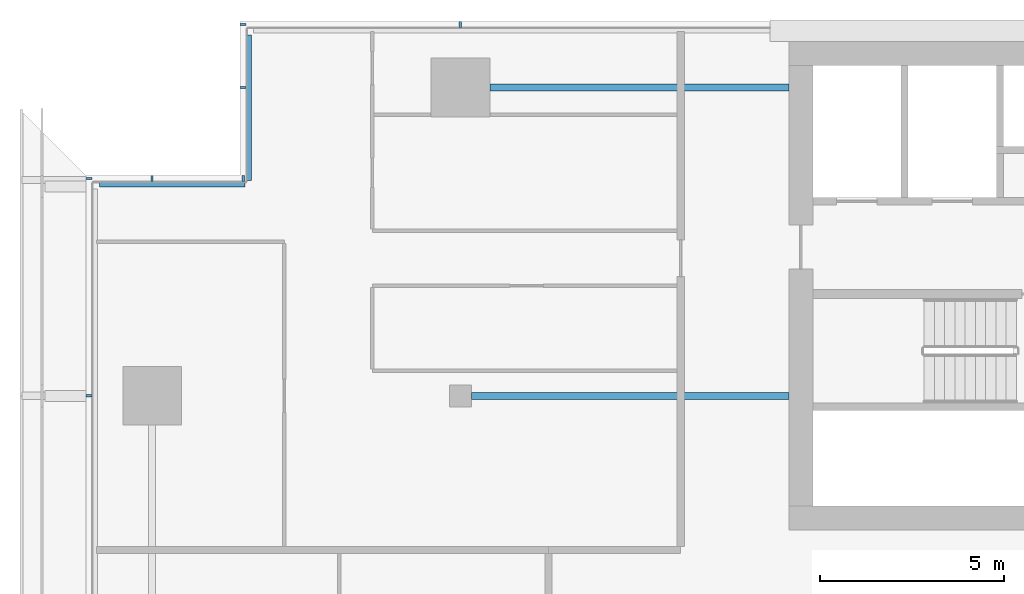
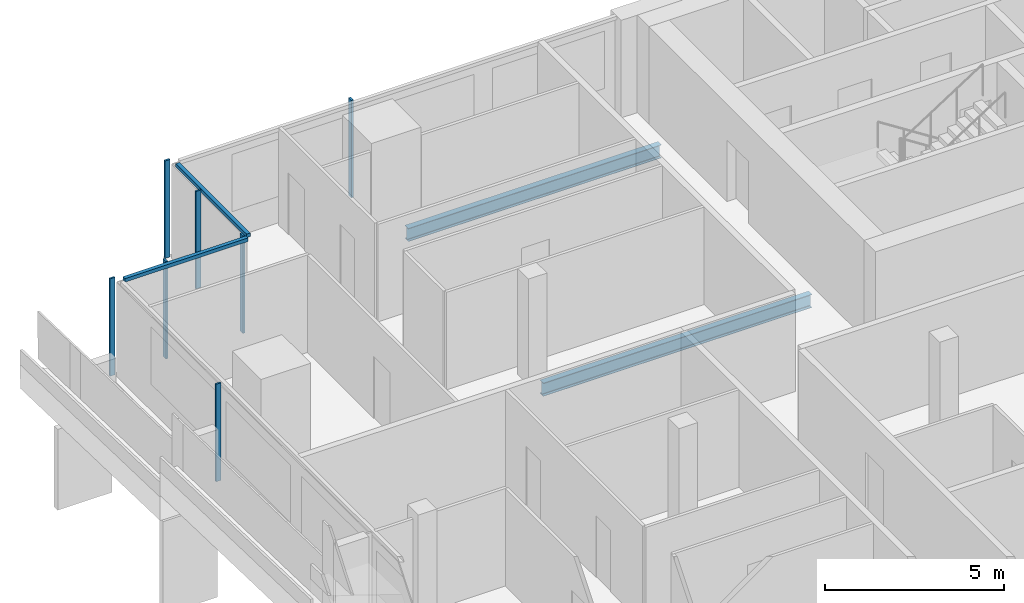
# One storey, part 7 of 28: 9 members, 2 beams, 4 elements without a shape of their own.
"""IFC4 building model written with IfcOpenShell, lengths in metres."""

import ifcopenshell
import ifcopenshell.guid

model = None  # the IFC model being written
_history = None  # IfcOwnerHistory: only IFC2X3 demands one
_inside = {}  # id of a spatial element -> (the spatial element, [elements in it])
_under = {}  # id of a project, library or spatial element -> (it, [spatial elements below it])
_declared = {}  # id of a project -> (the project, [libraries it declares])
_typed = {}  # id of a type object -> (the type object, [elements of that type])
_made_of = {}  # id of a material, layer set ... -> (it, [elements and type objects made of it])


def new_model(schema):
    """Start an empty IFC model of exactly this schema.

    Asked for "IFC4X3", IfcOpenShell would pick the latest addendum, in which some entities
    have other attributes; the version numbers below select the first issue.
    IFC2X3 requires an IfcOwnerHistory on every rooted entity: one is made here for all.
    """
    global model, _history
    if schema == "IFC4X3":
        model = ifcopenshell.file(schema_version=(4, 3, 0, 0))
    else:
        model = ifcopenshell.file(schema=schema)
    _inside.clear()
    _under.clear()
    _declared.clear()
    _typed.clear()
    _made_of.clear()
    _history = None
    if model.schema == "IFC2X3":
        org = make("IfcOrganization", Name="unknown")
        user = make(
            "IfcPersonAndOrganization",
            ThePerson=make("IfcPerson", FamilyName="unknown"),
            TheOrganization=org,
        )
        app = make(
            "IfcApplication",
            ApplicationDeveloper=org,
            Version="unknown",
            ApplicationFullName="unknown",
            ApplicationIdentifier="unknown",
        )
        _history = make(
            "IfcOwnerHistory",
            OwningUser=user,
            OwningApplication=app,
            ChangeAction="ADDED",
            CreationDate=0,
        )
    return model


def make(cls, **values):
    """One entity of the class cls with the attributes given. An attribute that is None is left unset."""
    return model.create_entity(
        cls, **{name: value for name, value in values.items() if value is not None}
    )


def rooted(cls, **values):
    """An entity with a GlobalId (a new one), such as an element, a storey or a relation."""
    return make(cls, GlobalId=ifcopenshell.guid.new(), OwnerHistory=_history, **values)


def si_unit(unit_type, name, prefix=None):
    """IfcSIUnit, for example si_unit("LENGTHUNIT", "METRE", prefix="MILLI")."""
    return make("IfcSIUnit", UnitType=unit_type, Prefix=prefix, Name=name)


def assignment(units):
    """IfcUnitAssignment: the units of a project."""
    return None if units is None else make("IfcUnitAssignment", Units=units)


def point(xyz):
    """IfcCartesianPoint."""
    return None if xyz is None else make("IfcCartesianPoint", Coordinates=xyz)


def direction(xyz):
    """IfcDirection."""
    return None if xyz is None else make("IfcDirection", DirectionRatios=xyz)


def frame(location, z_axis=None, x_axis=None):
    """IfcAxis2Placement3D, a coordinate frame: its origin and axes. An axis left out is left unset."""
    return make(
        "IfcAxis2Placement3D",
        Location=point(location),
        Axis=direction(z_axis),
        RefDirection=direction(x_axis),
    )


def frame_2d(location, x_axis=None):
    """IfcAxis2Placement2D, a coordinate frame in the plane: its origin and x axis."""
    return make(
        "IfcAxis2Placement2D", Location=point(location), RefDirection=direction(x_axis)
    )


def origin():
    """The frame at (0, 0, 0) with its axes left unset."""
    return frame((0.0, 0.0, 0.0))


def origin_2d():
    """The frame at (0, 0) in the plane with its x axis left unset."""
    return frame_2d((0.0, 0.0))


def place(relative_to, where):
    """IfcLocalPlacement: puts the frame where relative to a parent placement (None: the world)."""
    return make(
        "IfcLocalPlacement", PlacementRelTo=relative_to, RelativePlacement=where
    )


def context(
    kind, dimensions, precision=None, world=None, true_north=None, identifier=None
):
    """IfcGeometricRepresentationContext, for example the 3D "Model" context."""
    return make(
        "IfcGeometricRepresentationContext",
        ContextIdentifier=identifier,
        ContextType=kind,
        CoordinateSpaceDimension=dimensions,
        Precision=precision,
        WorldCoordinateSystem=world,
        TrueNorth=true_north,
    )


def subcontext(parent, identifier, kind, view, scale=None):
    """IfcGeometricRepresentationSubContext, for example "Body" below "Model"."""
    return make(
        "IfcGeometricRepresentationSubContext",
        ContextIdentifier=identifier,
        ContextType=kind,
        ParentContext=parent,
        TargetScale=scale,
        TargetView=view,
    )


def project(units=None, contexts=None):
    """IfcProject with its units and contexts."""
    return rooted(
        "IfcProject",
        Name="project",
        RepresentationContexts=contexts,
        UnitsInContext=assignment(units),
    )


def spatial(cls, under=None, at=None, **own):
    """A site, building, storey or space (cls), placed at a placement, below another one or the project."""
    s = rooted(cls, ObjectPlacement=at, **own)
    if under is not None:
        _under.setdefault(under.id(), (under, []))[1].append(s)
    return s


def profile(cls, at=None, kind="AREA", **sizes):
    """A parametric profile (cls). Its sizes go by their IFC names, for example OverallWidth=200.0."""
    return make(cls, ProfileType=kind, Position=at, **sizes)


def rectangle(**sizes):
    """IfcRectangleProfileDef."""
    return profile("IfcRectangleProfileDef", **sizes)


def i_section(**sizes):
    """IfcIShapeProfileDef."""
    return profile("IfcIShapeProfileDef", **sizes)


def extrude(swept, where, along, depth):
    """IfcExtrudedAreaSolid: the profile swept, set in the frame where, extruded along a direction by depth."""
    return make(
        "IfcExtrudedAreaSolid",
        SweptArea=swept,
        Position=where,
        ExtrudedDirection=direction(along),
        Depth=depth,
    )


def shape(context_of_items, identifier, shape_type, items):
    """IfcShapeRepresentation: the items that make up one representation, for example the "Body"."""
    return make(
        "IfcShapeRepresentation",
        ContextOfItems=context_of_items,
        RepresentationIdentifier=identifier,
        RepresentationType=shape_type,
        Items=items,
    )


def material(Name=None, Category=None):
    """IfcMaterial."""
    return make("IfcMaterial", Name=Name, Category=Category)


def material_profile(
    of_material, cross_section, Name=None, Category=None, Priority=None
):
    """IfcMaterialProfile: a cross section and its material."""
    return make(
        "IfcMaterialProfile",
        Name=Name,
        Material=of_material,
        Profile=cross_section,
        Priority=Priority,
        Category=Category,
    )


def profile_set(profiles, Name=None, composite=None):
    """IfcMaterialProfileSet."""
    return make(
        "IfcMaterialProfileSet",
        Name=Name,
        MaterialProfiles=profiles,
        CompositeProfile=composite,
    )


def made_of(thing, what):
    """Note that an element or type object is made of a material, layer set ...; save() writes the relation."""
    if what is not None:
        _made_of.setdefault(what.id(), (what, []))[1].append(thing)
    return thing


def type_object(cls, material=None, **own):
    """A type object (cls), such as IfcWallType, which elements share."""
    return made_of(rooted(cls, **own), material)


def element(
    cls,
    number,
    at=None,
    inside=None,
    cuts=None,
    type_object=None,
    material=None,
    context=None,
    identifier="Body",
    shape_type=None,
    held_by="IfcProductDefinitionShape",
    body=None,
    shapes=None,
    **own,
):
    """One element of the class cls, such as IfcWall. Its Tag is "e" and its number.

    at: its placement. inside: the storey or other place that contains it. cuts: it is an
    opening in that element (IfcRelVoidsElement). A single representation is given by context,
    identifier, shape_type and body (its items); several are given by shapes. held_by: the class
    of the entity that holds the representations. save() writes the other relations.
    """
    e = rooted(cls, Tag="e%d" % number, ObjectPlacement=at, **own)
    if body is not None:
        shapes = [shape(context, identifier, shape_type, body)]
    if shapes is not None:
        e.Representation = make(held_by, Representations=shapes)
    if inside is not None:
        _inside.setdefault(inside.id(), (inside, []))[1].append(e)
    if cuts is not None:
        rooted(
            "IfcRelVoidsElement", RelatingBuildingElement=cuts, RelatedOpeningElement=e
        )
    if type_object is not None:
        _typed.setdefault(type_object.id(), (type_object, []))[1].append(e)
    return made_of(e, material)


def aggregate(whole, parts):
    """IfcRelAggregates: a whole, such as a stair, and the parts it consists of."""
    return rooted("IfcRelAggregates", RelatingObject=whole, RelatedObjects=parts)


def save(model, path):
    """Write the relations noted so far, then the file.

    IfcRelAggregates (storeys below a building ...), IfcRelContainedInSpatialStructure (elements
    in a storey), IfcRelDefinesByType, IfcRelAssociatesMaterial and IfcRelDeclares: one each for
    every whole, place, type object, material and project.
    """
    for whole, parts in _under.values():
        aggregate(whole, parts)
    for where, things in _inside.values():
        rooted(
            "IfcRelContainedInSpatialStructure",
            RelatedElements=things,
            RelatingStructure=where,
        )
    for kind, things in _typed.values():
        rooted("IfcRelDefinesByType", RelatedObjects=things, RelatingType=kind)
    for what, things in _made_of.values():
        rooted("IfcRelAssociatesMaterial", RelatedObjects=things, RelatingMaterial=what)
    for by, libraries in _declared.values():
        rooted("IfcRelDeclares", RelatingContext=by, RelatedDefinitions=libraries)
    model.write(path)


model = new_model("IFC4")

# Units and contexts
model_context = context("Model", 3, precision=1e-05, world=origin(), true_north=direction((0.0, 1.0)))
body_context = subcontext(model_context, "Body", "Model", "MODEL_VIEW")
ifc_project = project(units=[si_unit("LENGTHUNIT", "METRE"), si_unit("AREAUNIT", "SQUARE_METRE"), si_unit("VOLUMEUNIT", "CUBIC_METRE"), si_unit("PLANEANGLEUNIT", "RADIAN"), si_unit("MASSUNIT", "GRAM", prefix="KILO")], contexts=[model_context])

# Site, building, storey
site_placement = place(None, origin())
site = spatial("IfcSite", under=ifc_project, at=site_placement, CompositionType="ELEMENT")
building_placement = place(site_placement, origin())
building = spatial("IfcBuilding", under=site, at=building_placement, Name="Saffron Gate Tower", CompositionType="ELEMENT")
storey_placement = place(building_placement, frame((0.0, 0.0, 241.5)))
storey = spatial("IfcBuildingStorey", under=building, at=storey_placement, Name="L59", CompositionType="ELEMENT", Elevation=241.5)

# Beams
ifc_material_1 = material(Name="Structural steel S355", Category="steel")
ifc_material_profile_1 = material_profile(ifc_material_1, i_section(OverallWidth=0.18994140625, OverallDepth=0.449951171875, WebThickness=0.009521484375, FlangeThickness=0.0146484375, FilletRadius=0.02099609375, at=origin_2d()))
ifc_profile_set_1 = profile_set([ifc_material_profile_1], Name="Structural steel S355")
beam_type = type_object("IfcBeamType", Name="B6 IPE 450", PredefinedType="BEAM", material=ifc_profile_set_1)
beam_1_placement = place(storey_placement, frame((58.5, 65.39990234375, -0.5048828125), z_axis=(1.0, 0.0, 0.0), x_axis=(0.0, 1.0, 0.0)))
element("IfcBeam", 1, at=beam_1_placement, inside=storey, type_object=beam_type, Name="B6 CORE TIE BEAM", PredefinedType="BEAM", context=body_context, shape_type="SweptSolid", body=[
    extrude(i_section(OverallWidth=0.18994140625, OverallDepth=0.449951171875, WebThickness=0.009521484375, FlangeThickness=0.0146484375, FilletRadius=0.02099609375, at=origin_2d()), origin(), (0.0, 0.0, 1.0), 8.64990234375),
])
beam_2_placement = place(storey_placement, frame((59.0, 73.800048828125, -0.5048828125), z_axis=(1.0, 0.0, 0.0), x_axis=(0.0, 1.0, 0.0)))
element("IfcBeam", 2, at=beam_2_placement, inside=storey, type_object=beam_type, Name="B6 CORE TIE BEAM", PredefinedType="BEAM", context=body_context, shape_type="SweptSolid", body=[
    extrude(i_section(OverallWidth=0.18994140625, OverallDepth=0.449951171875, WebThickness=0.009521484375, FlangeThickness=0.0146484375, FilletRadius=0.02099609375, at=origin_2d()), origin(), (0.0, 0.0, 1.0), 8.14990234375),
])

# Curtain wall, members
ifc_material_2 = material(Name="Aluminium, bronze anodised", Category="aluminium")
curtain_wall_type_1 = type_object("IfcCurtainWallType", Name="CWS2 curtain wall side facades", PredefinedType="NOTDEFINED", material=ifc_material_2)
curtain_wall_1_placement = place(storey_placement, origin())
curtain_wall_1 = element("IfcCurtainWall", 3, at=curtain_wall_1_placement, inside=storey, type_object=curtain_wall_type_1, Name="CWS2 run 10", PredefinedType="NOTDEFINED")
ifc_material_profile_2 = material_profile(ifc_material_2, rectangle(XDim=0.159912109375, YDim=0.06005859375, at=origin_2d()))
ifc_profile_set_2 = profile_set([ifc_material_profile_2], Name="Aluminium, bronze anodised")
member_type_1 = type_object("IfcMemberType", Name="CWS2 mullion 60x160", PredefinedType="MULLION", material=ifc_profile_set_2)
member_1_placement = place(storey_placement, frame((48.080078125, 71.320068359375, 0.0), z_axis=(0.0, 0.0, 1.0), x_axis=(1.0, 0.0, 0.0)))
member_1 = element("IfcMember", 4, at=member_1_placement, type_object=member_type_1, Name="CWS2 mullion 1", PredefinedType="MULLION", context=body_context, shape_type="SweptSolid", body=[
    extrude(rectangle(XDim=0.159912109375, YDim=0.06005859375, at=origin_2d()), origin(), (0.0, 0.0, 1.0), 3.320068359375),
])
member_2_placement = place(storey_placement, frame((48.080078125, 65.39990234375, 0.0), z_axis=(0.0, 0.0, 1.0), x_axis=(1.0, 0.0, 0.0)))
member_2 = element("IfcMember", 5, at=member_2_placement, type_object=member_type_1, Name="CWS2 mullion 2", PredefinedType="MULLION", context=body_context, shape_type="SweptSolid", body=[
    extrude(rectangle(XDim=0.159912109375, YDim=0.06005859375, at=origin_2d()), origin(), (0.0, 0.0, 1.0), 3.320068359375),
])
aggregate(curtain_wall_1, [member_1, member_2])

# Curtain wall, member
curtain_wall_type_2 = type_object("IfcCurtainWallType", Name="CWS3 curtain wall rear facade", PredefinedType="NOTDEFINED", material=ifc_material_2)
curtain_wall_2_placement = place(storey_placement, origin())
curtain_wall_2 = element("IfcCurtainWall", 6, at=curtain_wall_2_placement, inside=storey, type_object=curtain_wall_type_2, Name="CWS3 run 7", PredefinedType="NOTDEFINED")
ifc_material_profile_3 = material_profile(ifc_material_2, rectangle(XDim=0.159912109375, YDim=0.070068359375, at=origin_2d()))
ifc_profile_set_3 = profile_set([ifc_material_profile_3], Name="Aluminium, bronze anodised")
member_type_2 = type_object("IfcMemberType", Name="CWS3 mullion 70x160", PredefinedType="MULLION", material=ifc_profile_set_3)
member_3_placement = place(storey_placement, frame((58.199951171875, 75.52001953125, 0.0), z_axis=(0.0, 0.0, 1.0), x_axis=(0.0, -1.0, 0.0)))
member_3 = element("IfcMember", 7, at=member_3_placement, type_object=member_type_2, Name="CWS3 mullion 9", PredefinedType="MULLION", context=body_context, shape_type="SweptSolid", body=[
    extrude(rectangle(XDim=0.159912109375, YDim=0.070068359375, at=origin_2d()), origin(), (0.0, 0.0, 1.0), 3.320068359375),
])
aggregate(curtain_wall_2, [member_3])

curtain_wall_type_3 = type_object("IfcCurtainWallType", Name="CWS4 curtain wall corner returns", PredefinedType="NOTDEFINED", material=ifc_material_2)
curtain_wall_3_placement = place(storey_placement, origin())
curtain_wall_3 = element("IfcCurtainWall", 8, at=curtain_wall_3_placement, inside=storey, type_object=curtain_wall_type_3, Name="CWS4 run 8", PredefinedType="NOTDEFINED")
ifc_material_profile_4 = material_profile(ifc_material_2, rectangle(XDim=0.1201171875, YDim=0.1201171875, at=origin_2d()))
ifc_profile_set_4 = profile_set([ifc_material_profile_4], Name="Aluminium, bronze anodised")
member_type_3 = type_object("IfcMemberType", Name="CWS4 head transom", PredefinedType="USERDEFINED", material=ifc_profile_set_4)
member_4_placement = place(storey_placement, frame((52.447998046875, 75.23193359375, 3.260009765625), z_axis=(0.0, -1.0, 0.0), x_axis=(1.0, 0.0, 0.0)))
member_4 = element("IfcMember", 9, at=member_4_placement, type_object=member_type_3, Name="CWS4 head transom", ObjectType="TRANSOM", PredefinedType="USERDEFINED", context=body_context, shape_type="SweptSolid", body=[
    extrude(rectangle(XDim=0.1201171875, YDim=0.1201171875, at=origin_2d()), origin(), (0.0, 0.0, 1.0), 3.9599609375),
])

curtain_wall_4_placement = place(storey_placement, origin())
curtain_wall_4 = element("IfcCurtainWall", 10, at=curtain_wall_4_placement, inside=storey, type_object=curtain_wall_type_3, Name="CWS4 run 9", PredefinedType="NOTDEFINED")
member_5_placement = place(storey_placement, frame((52.327880859375, 71.152099609375, 3.260009765625), z_axis=(-1.0, 0.0, 0.0), x_axis=(0.0, -1.0, 0.0)))
member_5 = element("IfcMember", 11, at=member_5_placement, type_object=member_type_3, Name="CWS4 head transom", ObjectType="TRANSOM", PredefinedType="USERDEFINED", context=body_context, shape_type="SweptSolid", body=[
    extrude(rectangle(XDim=0.1201171875, YDim=0.1201171875, at=origin_2d()), origin(), (0.0, 0.0, 1.0), 3.9599609375),
])

# Member
ifc_material_profile_5 = material_profile(ifc_material_2, rectangle(XDim=0.159912109375, YDim=0.06005859375, at=origin_2d()))
ifc_profile_set_5 = profile_set([ifc_material_profile_5], Name="Aluminium, bronze anodised")
member_type_4 = type_object("IfcMemberType", Name="CWS4 mullion 60x160", PredefinedType="MULLION", material=ifc_profile_set_5)
member_6_placement = place(storey_placement, frame((52.280029296875, 75.52001953125, 0.0), z_axis=(0.0, 0.0, 1.0), x_axis=(1.0, 0.0, 0.0)))
member_6 = element("IfcMember", 12, at=member_6_placement, type_object=member_type_4, Name="CWS4 mullion 1", PredefinedType="MULLION", context=body_context, shape_type="SweptSolid", body=[
    extrude(rectangle(XDim=0.159912109375, YDim=0.06005859375, at=origin_2d()), origin(), (0.0, 0.0, 1.0), 3.320068359375),
])

member_7_placement = place(storey_placement, frame((52.280029296875, 73.800048828125, 0.0), z_axis=(0.0, 0.0, 1.0), x_axis=(1.0, 0.0, 0.0)))
member_7 = element("IfcMember", 13, at=member_7_placement, type_object=member_type_4, Name="CWS4 mullion 2", PredefinedType="MULLION", context=body_context, shape_type="SweptSolid", body=[
    extrude(rectangle(XDim=0.159912109375, YDim=0.06005859375, at=origin_2d()), origin(), (0.0, 0.0, 1.0), 3.320068359375),
])

aggregate(curtain_wall_3, [member_6, member_7, member_4])

member_8_placement = place(storey_placement, frame((52.280029296875, 71.320068359375, 0.0), z_axis=(0.0, 0.0, 1.0), x_axis=(0.0, -1.0, 0.0)))
member_8 = element("IfcMember", 14, at=member_8_placement, type_object=member_type_4, Name="CWS4 mullion 1", PredefinedType="MULLION", context=body_context, shape_type="SweptSolid", body=[
    extrude(rectangle(XDim=0.159912109375, YDim=0.06005859375, at=origin_2d()), origin(), (0.0, 0.0, 1.0), 3.320068359375),
])

member_9_placement = place(storey_placement, frame((49.800048828125, 71.320068359375, 0.0), z_axis=(0.0, 0.0, 1.0), x_axis=(0.0, -1.0, 0.0)))
member_9 = element("IfcMember", 15, at=member_9_placement, type_object=member_type_4, Name="CWS4 mullion 2", PredefinedType="MULLION", context=body_context, shape_type="SweptSolid", body=[
    extrude(rectangle(XDim=0.159912109375, YDim=0.06005859375, at=origin_2d()), origin(), (0.0, 0.0, 1.0), 3.320068359375),
])

aggregate(curtain_wall_4, [member_8, member_9, member_5])

save(model, "model.ifc")
